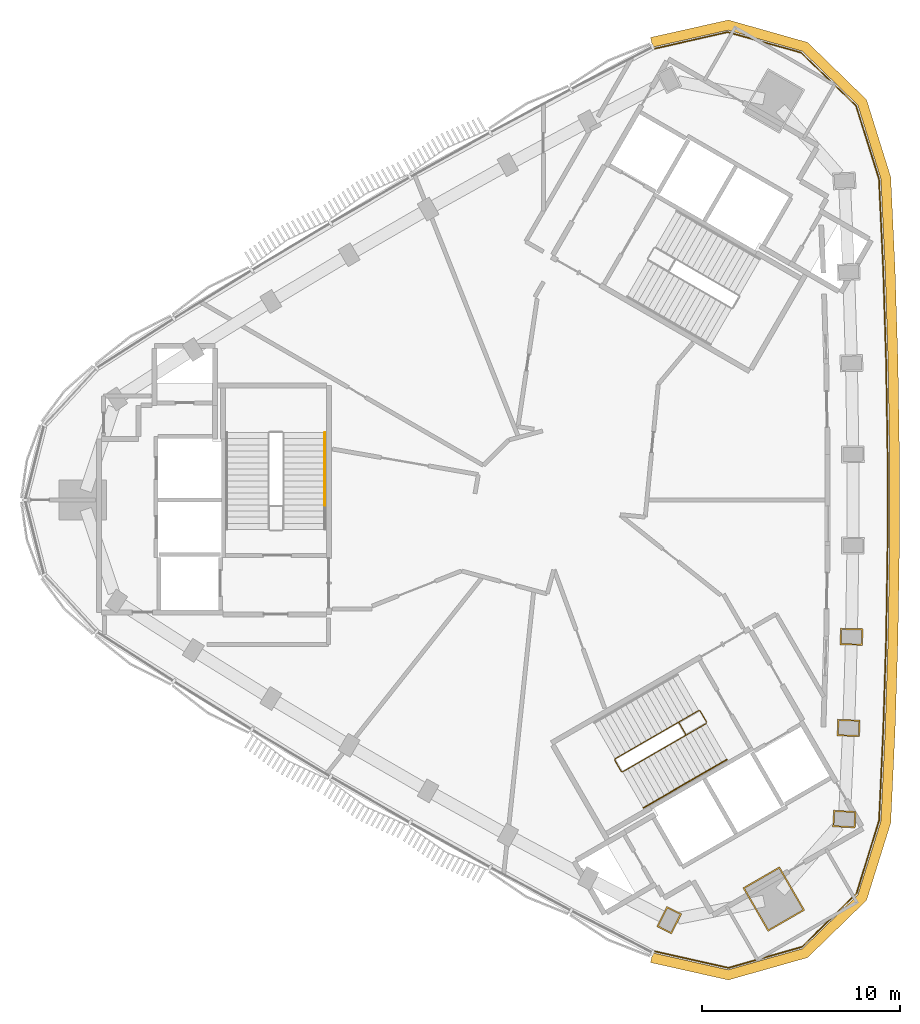
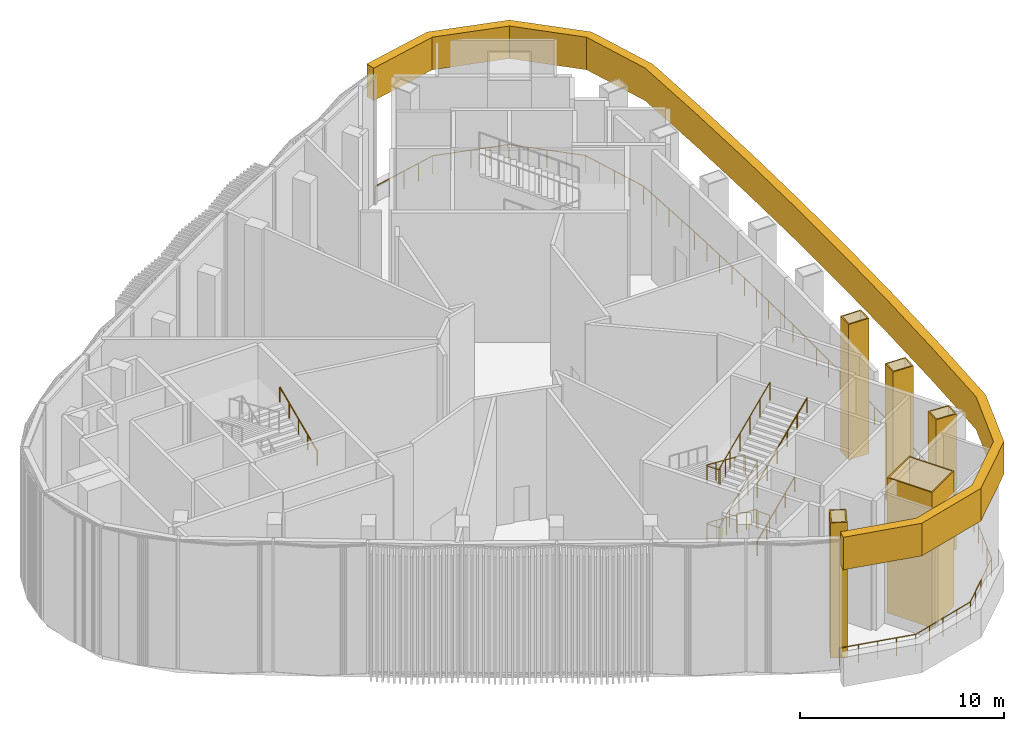
# One storey, part 9 of 11: 6 coverings, 5 railings.
"""IFC4 building model written with IfcOpenShell, lengths in metres."""

import ifcopenshell
import ifcopenshell.guid

model = None  # the IFC model being written
_history = None  # IfcOwnerHistory: only IFC2X3 demands one
_inside = {}  # id of a spatial element -> (the spatial element, [elements in it])
_under = {}  # id of a project, library or spatial element -> (it, [spatial elements below it])
_declared = {}  # id of a project -> (the project, [libraries it declares])
_typed = {}  # id of a type object -> (the type object, [elements of that type])
_made_of = {}  # id of a material, layer set ... -> (it, [elements and type objects made of it])


def new_model(schema):
    """Start an empty IFC model of exactly this schema.

    Asked for "IFC4X3", IfcOpenShell would pick the latest addendum, in which some entities
    have other attributes; the version numbers below select the first issue.
    IFC2X3 requires an IfcOwnerHistory on every rooted entity: one is made here for all.
    """
    global model, _history
    if schema == "IFC4X3":
        model = ifcopenshell.file(schema_version=(4, 3, 0, 0))
    else:
        model = ifcopenshell.file(schema=schema)
    _inside.clear()
    _under.clear()
    _declared.clear()
    _typed.clear()
    _made_of.clear()
    _history = None
    if model.schema == "IFC2X3":
        org = make("IfcOrganization", Name="unknown")
        user = make(
            "IfcPersonAndOrganization",
            ThePerson=make("IfcPerson", FamilyName="unknown"),
            TheOrganization=org,
        )
        app = make(
            "IfcApplication",
            ApplicationDeveloper=org,
            Version="unknown",
            ApplicationFullName="unknown",
            ApplicationIdentifier="unknown",
        )
        _history = make(
            "IfcOwnerHistory",
            OwningUser=user,
            OwningApplication=app,
            ChangeAction="ADDED",
            CreationDate=0,
        )
    return model


def make(cls, **values):
    """One entity of the class cls with the attributes given. An attribute that is None is left unset."""
    return model.create_entity(
        cls, **{name: value for name, value in values.items() if value is not None}
    )


def rooted(cls, **values):
    """An entity with a GlobalId (a new one), such as an element, a storey or a relation."""
    return make(cls, GlobalId=ifcopenshell.guid.new(), OwnerHistory=_history, **values)


def si_unit(unit_type, name, prefix=None):
    """IfcSIUnit, for example si_unit("LENGTHUNIT", "METRE", prefix="MILLI")."""
    return make("IfcSIUnit", UnitType=unit_type, Prefix=prefix, Name=name)


def assignment(units):
    """IfcUnitAssignment: the units of a project."""
    return None if units is None else make("IfcUnitAssignment", Units=units)


def point(xyz):
    """IfcCartesianPoint."""
    return None if xyz is None else make("IfcCartesianPoint", Coordinates=xyz)


def direction(xyz):
    """IfcDirection."""
    return None if xyz is None else make("IfcDirection", DirectionRatios=xyz)


def frame(location, z_axis=None, x_axis=None):
    """IfcAxis2Placement3D, a coordinate frame: its origin and axes. An axis left out is left unset."""
    return make(
        "IfcAxis2Placement3D",
        Location=point(location),
        Axis=direction(z_axis),
        RefDirection=direction(x_axis),
    )


def frame_2d(location, x_axis=None):
    """IfcAxis2Placement2D, a coordinate frame in the plane: its origin and x axis."""
    return make(
        "IfcAxis2Placement2D", Location=point(location), RefDirection=direction(x_axis)
    )


def origin():
    """The frame at (0, 0, 0) with its axes left unset."""
    return frame((0.0, 0.0, 0.0))


def origin_2d():
    """The frame at (0, 0) in the plane with its x axis left unset."""
    return frame_2d((0.0, 0.0))


def place(relative_to, where):
    """IfcLocalPlacement: puts the frame where relative to a parent placement (None: the world)."""
    return make(
        "IfcLocalPlacement", PlacementRelTo=relative_to, RelativePlacement=where
    )


def context(
    kind, dimensions, precision=None, world=None, true_north=None, identifier=None
):
    """IfcGeometricRepresentationContext, for example the 3D "Model" context."""
    return make(
        "IfcGeometricRepresentationContext",
        ContextIdentifier=identifier,
        ContextType=kind,
        CoordinateSpaceDimension=dimensions,
        Precision=precision,
        WorldCoordinateSystem=world,
        TrueNorth=true_north,
    )


def subcontext(parent, identifier, kind, view, scale=None):
    """IfcGeometricRepresentationSubContext, for example "Body" below "Model"."""
    return make(
        "IfcGeometricRepresentationSubContext",
        ContextIdentifier=identifier,
        ContextType=kind,
        ParentContext=parent,
        TargetScale=scale,
        TargetView=view,
    )


def project(units=None, contexts=None):
    """IfcProject with its units and contexts."""
    return rooted(
        "IfcProject",
        Name="project",
        RepresentationContexts=contexts,
        UnitsInContext=assignment(units),
    )


def spatial(cls, under=None, at=None, **own):
    """A site, building, storey or space (cls), placed at a placement, below another one or the project."""
    s = rooted(cls, ObjectPlacement=at, **own)
    if under is not None:
        _under.setdefault(under.id(), (under, []))[1].append(s)
    return s


def polyline(points):
    """IfcPolyline through the points."""
    return make("IfcPolyline", Points=[point(p) for p in points])


def profile(cls, at=None, kind="AREA", **sizes):
    """A parametric profile (cls). Its sizes go by their IFC names, for example OverallWidth=200.0."""
    return make(cls, ProfileType=kind, Position=at, **sizes)


def rectangle(**sizes):
    """IfcRectangleProfileDef."""
    return profile("IfcRectangleProfileDef", **sizes)


def circle(**sizes):
    """IfcCircleProfileDef."""
    return profile("IfcCircleProfileDef", **sizes)


def outline(outer, holes=None, kind="AREA"):
    """IfcArbitraryClosedProfileDef: a profile drawn as a closed curve; with holes, ...WithVoids."""
    if holes is None:
        return make("IfcArbitraryClosedProfileDef", ProfileType=kind, OuterCurve=outer)
    return make(
        "IfcArbitraryProfileDefWithVoids",
        ProfileType=kind,
        OuterCurve=outer,
        InnerCurves=holes,
    )


def extrude(swept, where, along, depth):
    """IfcExtrudedAreaSolid: the profile swept, set in the frame where, extruded along a direction by depth."""
    return make(
        "IfcExtrudedAreaSolid",
        SweptArea=swept,
        Position=where,
        ExtrudedDirection=direction(along),
        Depth=depth,
    )


def shape(context_of_items, identifier, shape_type, items):
    """IfcShapeRepresentation: the items that make up one representation, for example the "Body"."""
    return make(
        "IfcShapeRepresentation",
        ContextOfItems=context_of_items,
        RepresentationIdentifier=identifier,
        RepresentationType=shape_type,
        Items=items,
    )


def source(mapping_origin, context_of_items, identifier, shape_type, items):
    """IfcRepresentationMap: a shape defined once, which mapped items show again and again."""
    return make(
        "IfcRepresentationMap",
        MappingOrigin=mapping_origin,
        MappedRepresentation=shape(context_of_items, identifier, shape_type, items),
    )


def transform(
    local_origin,
    x_axis=None,
    y_axis=None,
    z_axis=None,
    scale=None,
    scale2=None,
    scale3=None,
    uniform=True,
):
    """IfcCartesianTransformationOperator3D, or its non-uniform kind. x_axis, y_axis, z_axis: its Axis1, 2, 3."""
    if uniform:
        return make(
            "IfcCartesianTransformationOperator3D",
            Axis1=direction(x_axis),
            Axis2=direction(y_axis),
            LocalOrigin=point(local_origin),
            Scale=scale,
            Axis3=direction(z_axis),
        )
    return make(
        "IfcCartesianTransformationOperator3DnonUniform",
        Axis1=direction(x_axis),
        Axis2=direction(y_axis),
        LocalOrigin=point(local_origin),
        Scale=scale,
        Axis3=direction(z_axis),
        Scale2=scale2,
        Scale3=scale3,
    )


def mapped(mapping_source, mapping_target):
    """IfcMappedItem: shows the shape of a source again, moved by a transform."""
    return make(
        "IfcMappedItem", MappingSource=mapping_source, MappingTarget=mapping_target
    )


def material(Name=None, Category=None):
    """IfcMaterial."""
    return make("IfcMaterial", Name=Name, Category=Category)


def layer(
    of_material, thickness, ventilated=None, Name=None, Category=None, Priority=None
):
    """IfcMaterialLayer: one layer of a wall or slab, of a material (None: an air gap)."""
    return make(
        "IfcMaterialLayer",
        Material=of_material,
        LayerThickness=thickness,
        IsVentilated=ventilated,
        Name=Name,
        Category=Category,
        Priority=Priority,
    )


def layer_set(layers, Name=None):
    """IfcMaterialLayerSet."""
    return make("IfcMaterialLayerSet", MaterialLayers=layers, LayerSetName=Name)


def made_of(thing, what):
    """Note that an element or type object is made of a material, layer set ...; save() writes the relation."""
    if what is not None:
        _made_of.setdefault(what.id(), (what, []))[1].append(thing)
    return thing


def type_object(cls, material=None, **own):
    """A type object (cls), such as IfcWallType, which elements share."""
    return made_of(rooted(cls, **own), material)


def element(
    cls,
    number,
    at=None,
    inside=None,
    cuts=None,
    type_object=None,
    material=None,
    context=None,
    identifier="Body",
    shape_type=None,
    held_by="IfcProductDefinitionShape",
    body=None,
    shapes=None,
    **own,
):
    """One element of the class cls, such as IfcWall. Its Tag is "e" and its number.

    at: its placement. inside: the storey or other place that contains it. cuts: it is an
    opening in that element (IfcRelVoidsElement). A single representation is given by context,
    identifier, shape_type and body (its items); several are given by shapes. held_by: the class
    of the entity that holds the representations. save() writes the other relations.
    """
    e = rooted(cls, Tag="e%d" % number, ObjectPlacement=at, **own)
    if body is not None:
        shapes = [shape(context, identifier, shape_type, body)]
    if shapes is not None:
        e.Representation = make(held_by, Representations=shapes)
    if inside is not None:
        _inside.setdefault(inside.id(), (inside, []))[1].append(e)
    if cuts is not None:
        rooted(
            "IfcRelVoidsElement", RelatingBuildingElement=cuts, RelatedOpeningElement=e
        )
    if type_object is not None:
        _typed.setdefault(type_object.id(), (type_object, []))[1].append(e)
    return made_of(e, material)


def aggregate(whole, parts):
    """IfcRelAggregates: a whole, such as a stair, and the parts it consists of."""
    return rooted("IfcRelAggregates", RelatingObject=whole, RelatedObjects=parts)


def save(model, path):
    """Write the relations noted so far, then the file.

    IfcRelAggregates (storeys below a building ...), IfcRelContainedInSpatialStructure (elements
    in a storey), IfcRelDefinesByType, IfcRelAssociatesMaterial and IfcRelDeclares: one each for
    every whole, place, type object, material and project.
    """
    for whole, parts in _under.values():
        aggregate(whole, parts)
    for where, things in _inside.values():
        rooted(
            "IfcRelContainedInSpatialStructure",
            RelatedElements=things,
            RelatingStructure=where,
        )
    for kind, things in _typed.values():
        rooted("IfcRelDefinesByType", RelatedObjects=things, RelatingType=kind)
    for what, things in _made_of.values():
        rooted("IfcRelAssociatesMaterial", RelatedObjects=things, RelatingMaterial=what)
    for by, libraries in _declared.values():
        rooted("IfcRelDeclares", RelatingContext=by, RelatedDefinitions=libraries)
    model.write(path)


model = new_model("IFC4")

# Units and contexts
model_context = context("Model", 3, precision=1e-05, world=origin(), true_north=direction((0.0, 1.0)))
body_context = subcontext(model_context, "Body", "Model", "MODEL_VIEW")
ifc_project = project(units=[si_unit("LENGTHUNIT", "METRE"), si_unit("AREAUNIT", "SQUARE_METRE"), si_unit("VOLUMEUNIT", "CUBIC_METRE"), si_unit("PLANEANGLEUNIT", "RADIAN"), si_unit("MASSUNIT", "GRAM", prefix="KILO")], contexts=[model_context])

# Site, building, storey
site_placement = place(None, origin())
site = spatial("IfcSite", under=ifc_project, at=site_placement, CompositionType="ELEMENT")
building_placement = place(site_placement, origin())
building = spatial("IfcBuilding", under=site, at=building_placement, Name="Tamra Quay Hotel Tower", CompositionType="ELEMENT")
storey_placement = place(building_placement, frame((0.0, 0.0, 312.60009765625)))
storey = spatial("IfcBuildingStorey", under=building, at=storey_placement, Name="L78", CompositionType="ELEMENT", Elevation=312.60009765625)

# Railing
ifc_material_1 = material(Name="Stainless steel balustrade", Category="steel")
railing_type_1 = type_object("IfcRailingType", Name="EXTERIOR GUARD 1100", PredefinedType="GUARDRAIL", material=ifc_material_1)
railing_1_placement = place(storey_placement, frame((5.542724609375, -22.777099609375, 0.0)))
element("IfcRailing", 1, at=railing_1_placement, inside=storey, type_object=railing_type_1, Name="GR1", PredefinedType="GUARDRAIL", context=body_context, shape_type="SweptSolid", body=[
    extrude(circle(Radius=0.02392578125, at=origin_2d()), frame((0.0, 0.0, 1.076171875), z_axis=(0.975765869861, -0.218817200452, 0.0), x_axis=(0.218817200452, 0.975765869861, 0.0)), (0.0, 0.0, 1.0), 3.904052734375),
    extrude(circle(Radius=0.02392578125, at=origin_2d()), frame((3.809326171875, -0.854248046875, 1.076171875), z_axis=(0.961421151463, 0.275080660023, 0.0), x_axis=(-0.275080660023, 0.961421151463, 0.0)), (0.0, 0.0, 1.0), 3.856201171875),
    extrude(circle(Radius=0.02392578125, at=origin_2d()), frame((7.516845703125, 0.20654296875, 1.076171875), z_axis=(0.714569103728, 0.699564861894, 0.0), x_axis=(-0.699564861894, 0.714569103728, 0.0)), (0.0, 0.0, 1.0), 3.8564453125),
    extrude(circle(Radius=0.02392578125, at=origin_2d()), frame((10.2724609375, 2.904296875, 1.076171875), z_axis=(0.295411342423, 0.955370157985, 0.0), x_axis=(-0.955370157985, 0.295411342423, 0.0)), (0.0, 0.0, 1.0), 3.856201171875),
    extrude(circle(Radius=0.02392578125, at=origin_2d()), frame((11.41162109375, 6.58837890625, 1.076171875), z_axis=(0.046111268524, 0.998936309739, 0.0), x_axis=(-0.998936309739, 0.046111268524, 0.0)), (0.0, 0.0, 1.0), 4.611572265625),
    extrude(circle(Radius=0.02392578125, at=origin_2d()), frame((11.624267578125, 11.195068359375, 1.076171875), z_axis=(0.03124462194, 0.999511767614, 0.0), x_axis=(-0.999511767614, 0.03124462194, 0.0)), (0.0, 0.0, 1.0), 4.633544921875),
    extrude(circle(Radius=0.02392578125, at=origin_2d()), frame((11.76904296875, 15.826416015625, 1.076171875), z_axis=(0.01559264604, 0.999878427305, 0.0), x_axis=(-0.999878427305, 0.01559264604, 0.0)), (0.0, 0.0, 1.0), 4.634521484375),
    extrude(circle(Radius=0.02392578125, at=origin_2d()), frame((11.84130859375, 20.46044921875, 1.076171875), z_axis=(0.0, 1.0, 0.0), x_axis=(-1.0, 0.0, 0.0)), (0.0, 0.0, 1.0), 4.634765625),
    extrude(circle(Radius=0.02392578125, at=origin_2d()), frame((11.84130859375, 25.09521484375, 1.076171875), z_axis=(-0.015644487009, 0.999877617524, 0.0), x_axis=(-0.999877617524, -0.015644487009, 0.0)), (0.0, 0.0, 1.0), 4.634765625),
    extrude(circle(Radius=0.02392578125, at=origin_2d()), frame((11.768798828125, 29.7294921875, 1.076171875), z_axis=(-0.031246267473, 0.999511716174, 0.0), x_axis=(-0.999511716174, -0.031246267473, 0.0)), (0.0, 0.0, 1.0), 4.63330078125),
    extrude(circle(Radius=0.02392578125, at=origin_2d()), frame((11.6240234375, 34.360595703125, 1.076171875), z_axis=(-0.046821944029, 0.99890325135, 0.0), x_axis=(-0.99890325135, -0.046821944029, 0.0)), (0.0, 0.0, 1.0), 4.635498046875),
    extrude(circle(Radius=0.02392578125, at=origin_2d()), frame((11.406982421875, 38.990966796875, 1.076171875), z_axis=(-0.29918163722, 0.954196178964, 0.0), x_axis=(-0.954196178964, -0.29918163722, 0.0)), (0.0, 0.0, 1.0), 3.878662109375),
    extrude(circle(Radius=0.02392578125, at=origin_2d()), frame((10.24658203125, 42.69189453125, 1.076171875), z_axis=(-0.718939865084, 0.6950722771, 0.0), x_axis=(-0.6950722771, -0.718939865084, 0.0)), (0.0, 0.0, 1.0), 3.856201171875),
    extrude(circle(Radius=0.02392578125, at=origin_2d()), frame((7.47412109375, 45.372314453125, 1.076171875), z_axis=(-0.963134136918, 0.269021624229, 0.0), x_axis=(-0.269021624229, -0.963134136918, 0.0)), (0.0, 0.0, 1.0), 3.85595703125),
    extrude(circle(Radius=0.02392578125, at=origin_2d()), frame((3.76025390625, 46.40966796875, 1.076171875), z_axis=(-0.9750843246, -0.221834532749, 0.0), x_axis=(0.221834532749, -0.9750843246, 0.0)), (0.0, 0.0, 1.0), 3.8564453125),
    extrude(circle(Radius=0.02099609375, at=origin_2d()), origin(), (0.0, 0.0, 1.0), 1.052001953125),
    extrude(circle(Radius=0.02099609375, at=origin_2d()), frame((0.952392578125, -0.213623046875, 0.0)), (0.0, 0.0, 1.0), 1.052001953125),
    extrude(circle(Radius=0.02099609375, at=origin_2d()), frame((1.90478515625, -0.42724609375, 0.0)), (0.0, 0.0, 1.0), 1.052001953125),
    extrude(circle(Radius=0.02099609375, at=origin_2d()), frame((2.85693359375, -0.640625, 0.0)), (0.0, 0.0, 1.0), 1.052001953125),
    extrude(circle(Radius=0.02099609375, at=origin_2d()), frame((3.809326171875, -0.854248046875, 0.0)), (0.0, 0.0, 1.0), 1.052001953125),
    extrude(circle(Radius=0.02099609375, at=origin_2d()), frame((4.736328125, -0.589111328125, 0.0)), (0.0, 0.0, 1.0), 1.052001953125),
    extrude(circle(Radius=0.02099609375, at=origin_2d()), frame((5.6630859375, -0.32373046875, 0.0)), (0.0, 0.0, 1.0), 1.052001953125),
    extrude(circle(Radius=0.02099609375, at=origin_2d()), frame((6.58984375, -0.05859375, 0.0)), (0.0, 0.0, 1.0), 1.052001953125),
    extrude(circle(Radius=0.02099609375, at=origin_2d()), frame((7.516845703125, 0.20654296875, 0.0)), (0.0, 0.0, 1.0), 1.052001953125),
    extrude(circle(Radius=0.02099609375, at=origin_2d()), frame((8.205810546875, 0.880859375, 0.0)), (0.0, 0.0, 1.0), 1.052001953125),
    extrude(circle(Radius=0.02099609375, at=origin_2d()), frame((8.89453125, 1.555419921875, 0.0)), (0.0, 0.0, 1.0), 1.052001953125),
    extrude(circle(Radius=0.02099609375, at=origin_2d()), frame((9.58349609375, 2.22998046875, 0.0)), (0.0, 0.0, 1.0), 1.052001953125),
    extrude(circle(Radius=0.02099609375, at=origin_2d()), frame((10.2724609375, 2.904296875, 0.0)), (0.0, 0.0, 1.0), 1.052001953125),
    extrude(circle(Radius=0.02099609375, at=origin_2d()), frame((10.55712890625, 3.8251953125, 0.0)), (0.0, 0.0, 1.0), 1.052001953125),
    extrude(circle(Radius=0.02099609375, at=origin_2d()), frame((10.842041015625, 4.746337890625, 0.0)), (0.0, 0.0, 1.0), 1.052001953125),
    extrude(circle(Radius=0.02099609375, at=origin_2d()), frame((11.126953125, 5.66748046875, 0.0)), (0.0, 0.0, 1.0), 1.052001953125),
    extrude(circle(Radius=0.02099609375, at=origin_2d()), frame((11.41162109375, 6.58837890625, 0.0)), (0.0, 0.0, 1.0), 1.052001953125),
    extrude(circle(Radius=0.02099609375, at=origin_2d()), frame((11.46484375, 7.739990234375, 0.0)), (0.0, 0.0, 1.0), 1.052001953125),
    extrude(circle(Radius=0.02099609375, at=origin_2d()), frame((11.51806640625, 8.8916015625, 0.0)), (0.0, 0.0, 1.0), 1.052001953125),
    extrude(circle(Radius=0.02099609375, at=origin_2d()), frame((11.571044921875, 10.04345703125, 0.0)), (0.0, 0.0, 1.0), 1.052001953125),
    extrude(circle(Radius=0.02099609375, at=origin_2d()), frame((11.624267578125, 11.195068359375, 0.0)), (0.0, 0.0, 1.0), 1.052001953125),
    extrude(circle(Radius=0.02099609375, at=origin_2d()), frame((11.660400390625, 12.35302734375, 0.0)), (0.0, 0.0, 1.0), 1.052001953125),
    extrude(circle(Radius=0.02099609375, at=origin_2d()), frame((11.69677734375, 13.5107421875, 0.0)), (0.0, 0.0, 1.0), 1.052001953125),
    extrude(circle(Radius=0.02099609375, at=origin_2d()), frame((11.73291015625, 14.66845703125, 0.0)), (0.0, 0.0, 1.0), 1.052001953125),
    extrude(circle(Radius=0.02099609375, at=origin_2d()), frame((11.76904296875, 15.826416015625, 0.0)), (0.0, 0.0, 1.0), 1.052001953125),
    extrude(circle(Radius=0.02099609375, at=origin_2d()), frame((11.787109375, 16.98486328125, 0.0)), (0.0, 0.0, 1.0), 1.052001953125),
    extrude(circle(Radius=0.02099609375, at=origin_2d()), frame((11.80517578125, 18.1435546875, 0.0)), (0.0, 0.0, 1.0), 1.052001953125),
    extrude(circle(Radius=0.02099609375, at=origin_2d()), frame((11.8232421875, 19.302001953125, 0.0)), (0.0, 0.0, 1.0), 1.052001953125),
    extrude(circle(Radius=0.02099609375, at=origin_2d()), frame((11.84130859375, 20.46044921875, 0.0)), (0.0, 0.0, 1.0), 1.052001953125),
    extrude(circle(Radius=0.02099609375, at=origin_2d()), frame((11.84130859375, 21.619140625, 0.0)), (0.0, 0.0, 1.0), 1.052001953125),
    extrude(circle(Radius=0.02099609375, at=origin_2d()), frame((11.84130859375, 22.77783203125, 0.0)), (0.0, 0.0, 1.0), 1.052001953125),
    extrude(circle(Radius=0.02099609375, at=origin_2d()), frame((11.84130859375, 23.9365234375, 0.0)), (0.0, 0.0, 1.0), 1.052001953125),
    extrude(circle(Radius=0.02099609375, at=origin_2d()), frame((11.84130859375, 25.09521484375, 0.0)), (0.0, 0.0, 1.0), 1.052001953125),
    extrude(circle(Radius=0.02099609375, at=origin_2d()), frame((11.8232421875, 26.25390625, 0.0)), (0.0, 0.0, 1.0), 1.052001953125),
    extrude(circle(Radius=0.02099609375, at=origin_2d()), frame((11.80517578125, 27.412353515625, 0.0)), (0.0, 0.0, 1.0), 1.052001953125),
    extrude(circle(Radius=0.02099609375, at=origin_2d()), frame((11.786865234375, 28.57080078125, 0.0)), (0.0, 0.0, 1.0), 1.052001953125),
    extrude(circle(Radius=0.02099609375, at=origin_2d()), frame((11.768798828125, 29.7294921875, 0.0)), (0.0, 0.0, 1.0), 1.052001953125),
    extrude(circle(Radius=0.02099609375, at=origin_2d()), frame((11.732666015625, 30.88720703125, 0.0)), (0.0, 0.0, 1.0), 1.052001953125),
    extrude(circle(Radius=0.02099609375, at=origin_2d()), frame((11.6962890625, 32.044921875, 0.0)), (0.0, 0.0, 1.0), 1.052001953125),
    extrude(circle(Radius=0.02099609375, at=origin_2d()), frame((11.66015625, 33.202880859375, 0.0)), (0.0, 0.0, 1.0), 1.052001953125),
    extrude(circle(Radius=0.02099609375, at=origin_2d()), frame((11.6240234375, 34.360595703125, 0.0)), (0.0, 0.0, 1.0), 1.052001953125),
    extrude(circle(Radius=0.02099609375, at=origin_2d()), frame((11.56982421875, 35.51806640625, 0.0)), (0.0, 0.0, 1.0), 1.052001953125),
    extrude(circle(Radius=0.02099609375, at=origin_2d()), frame((11.515625, 36.67578125, 0.0)), (0.0, 0.0, 1.0), 1.052001953125),
    extrude(circle(Radius=0.02099609375, at=origin_2d()), frame((11.461181640625, 37.83349609375, 0.0)), (0.0, 0.0, 1.0), 1.052001953125),
    extrude(circle(Radius=0.02099609375, at=origin_2d()), frame((11.406982421875, 38.990966796875, 0.0)), (0.0, 0.0, 1.0), 1.052001953125),
    extrude(circle(Radius=0.02099609375, at=origin_2d()), frame((11.116943359375, 39.916259765625, 0.0)), (0.0, 0.0, 1.0), 1.052001953125),
    extrude(circle(Radius=0.02099609375, at=origin_2d()), frame((10.82666015625, 40.84130859375, 0.0)), (0.0, 0.0, 1.0), 1.052001953125),
    extrude(circle(Radius=0.02099609375, at=origin_2d()), frame((10.53662109375, 41.7666015625, 0.0)), (0.0, 0.0, 1.0), 1.052001953125),
    extrude(circle(Radius=0.02099609375, at=origin_2d()), frame((10.24658203125, 42.69189453125, 0.0)), (0.0, 0.0, 1.0), 1.052001953125),
    extrude(circle(Radius=0.02099609375, at=origin_2d()), frame((9.553466796875, 43.362060546875, 0.0)), (0.0, 0.0, 1.0), 1.052001953125),
    extrude(circle(Radius=0.02099609375, at=origin_2d()), frame((8.8603515625, 44.0322265625, 0.0)), (0.0, 0.0, 1.0), 1.052001953125),
    extrude(circle(Radius=0.02099609375, at=origin_2d()), frame((8.167236328125, 44.7021484375, 0.0)), (0.0, 0.0, 1.0), 1.052001953125),
    extrude(circle(Radius=0.02099609375, at=origin_2d()), frame((7.47412109375, 45.372314453125, 0.0)), (0.0, 0.0, 1.0), 1.052001953125),
    extrude(circle(Radius=0.02099609375, at=origin_2d()), frame((6.545654296875, 45.631591796875, 0.0)), (0.0, 0.0, 1.0), 1.052001953125),
    extrude(circle(Radius=0.02099609375, at=origin_2d()), frame((5.6171875, 45.89111328125, 0.0)), (0.0, 0.0, 1.0), 1.052001953125),
    extrude(circle(Radius=0.02099609375, at=origin_2d()), frame((4.688720703125, 46.150390625, 0.0)), (0.0, 0.0, 1.0), 1.052001953125),
    extrude(circle(Radius=0.02099609375, at=origin_2d()), frame((3.76025390625, 46.40966796875, 0.0)), (0.0, 0.0, 1.0), 1.052001953125),
    extrude(circle(Radius=0.02099609375, at=origin_2d()), frame((2.8203125, 46.19580078125, 0.0)), (0.0, 0.0, 1.0), 1.052001953125),
    extrude(circle(Radius=0.02099609375, at=origin_2d()), frame((1.880126953125, 45.98193359375, 0.0)), (0.0, 0.0, 1.0), 1.052001953125),
    extrude(circle(Radius=0.02099609375, at=origin_2d()), frame((0.93994140625, 45.76806640625, 0.0)), (0.0, 0.0, 1.0), 1.052001953125),
    extrude(circle(Radius=0.02099609375, at=origin_2d()), frame((0.0, 45.55419921875, 0.0)), (0.0, 0.0, 1.0), 1.052001953125),
])

# Covering
ifc_material_2 = material(Name="Precast concrete M60 terracotta-coloured pierced relief", Category="masonry")
ifc_layer_1 = layer(ifc_material_2, 0.10009765625)
ifc_layer_set_1 = layer_set([ifc_layer_1], Name="PIERCED RELIEF PANEL 100")
covering_type_1 = type_object("IfcCoveringType", Name="PIERCED RELIEF PANEL 100", PredefinedType="CLADDING", material=ifc_layer_set_1)
covering_1_placement = place(storey_placement, frame((0.0, 0.0, 6.14990234375)))
element("IfcCovering", 2, at=covering_1_placement, inside=storey, type_object=covering_type_1, Name="L78 portal head fascia 1", PredefinedType="CLADDING", context=body_context, shape_type="SweptSolid", body=[
    extrude(outline(polyline([(5.520751953125, -22.874755859375), (5.411376953125, -23.362548828125), (9.34423828125, -24.244384765625), (13.344482421875, -23.113525390625), (16.32421875, -20.214599609375), (17.546142578125, -16.30615234375), (17.766357421875, -11.606201171875), (17.91162109375, -6.965576171875), (17.984130859375, -2.322021484375), (17.984130859375, 2.322021484375), (17.91162109375, 6.965576171875), (17.766357421875, 11.606201171875), (17.546142578125, 16.30615234375), (16.32421875, 20.214599609375), (13.344482421875, 23.113525390625), (9.34423828125, 24.244384765625), (5.411376953125, 23.362548828125), (5.520751953125, 22.874755859375), (9.330078125, 23.72900390625), (13.086669921875, 22.666748046875), (15.884765625, 19.944580078125), (17.0498046875, 16.218505859375), (17.266845703125, 11.586669921875), (17.41162109375, 6.953857421875), (17.484130859375, 2.318115234375), (17.484130859375, -2.318115234375), (17.41162109375, -6.953857421875), (17.266845703125, -11.586669921875), (17.0498046875, -16.218505859375), (15.884765625, -19.944580078125), (13.086669921875, -22.666748046875), (9.330078125, -23.72900390625), (5.520751953125, -22.874755859375)])), origin(), (0.0, 0.0, 1.0), 1.949951171875),
])

# Railings
ifc_material_3 = material(Name="Stair guard 1100")
railing_type_2 = type_object("IfcRailingType", Name="Stair guard 1100", PredefinedType="GUARDRAIL", material=ifc_material_3)
railing_2_placement = place(storey_placement, frame((8.245849609375, -11.221923828125, 0.0)))
element("IfcRailing", 3, at=railing_2_placement, inside=storey, type_object=railing_type_2, Name="GR", PredefinedType="GUARDRAIL", context=body_context, shape_type="SweptSolid", body=[
    extrude(circle(Radius=0.02392578125, at=origin_2d()), frame((0.0, 0.0, 1.076171875), z_axis=(-0.500043078269, 0.866000531106, 0.0), x_axis=(-0.866000531106, -0.500043078269, 0.0)), (0.0, 0.0, 1.0), 0.6591796875),
    extrude(circle(Radius=0.02392578125, at=origin_2d()), frame((-0.32958984375, 0.57080078125, 1.076171875), z_axis=(-0.4529457755, 0.121324761295, 0.883244262225), x_axis=(-0.258736085224, -0.965948051503, 0.0)), (0.0, 0.0, 1.0), 0.15087890625),
    extrude(circle(Radius=0.02392578125, at=origin_2d()), frame((-0.39794921875, 0.589111328125, 1.20947265625), z_axis=(-0.793511931334, -0.458137391205, 0.400560788908), x_axis=(0.500002508028, -0.866023955769, 0.0)), (0.0, 0.0, 1.0), 5.32568359375),
    extrude(circle(Radius=0.02392578125, at=origin_2d()), frame((-4.6240234375, -1.850830078125, 3.3427734375), z_axis=(-0.258736085224, -0.965948051503, 0.0), x_axis=(0.965948051503, -0.258736085224, 0.0)), (0.0, 0.0, 1.0), 0.07080078125),
    extrude(circle(Radius=0.02392578125, at=origin_2d()), frame((-4.642333984375, -1.919189453125, 3.3427734375), z_axis=(0.499765215335, -0.866160914346, 0.0), x_axis=(0.866160914346, 0.499765215335, 0.0)), (0.0, 0.0, 1.0), 0.658935546875),
    extrude(circle(Radius=0.02392578125, at=origin_2d()), frame((-4.31298828125, -2.489990234375, 3.3427734375), z_axis=(0.4529457755, -0.121324761295, 0.883244262225), x_axis=(0.258736085224, 0.965948051503, 0.0)), (0.0, 0.0, 1.0), 0.15087890625),
    extrude(circle(Radius=0.02392578125, at=origin_2d()), frame((-4.24462890625, -2.50830078125, 3.47607421875), z_axis=(0.793502425816, 0.458144818911, 0.400571123685), x_axis=(-0.500013080017, 0.866017851902, 0.0)), (0.0, 0.0, 1.0), 3.99462890625),
    extrude(circle(Radius=0.02392578125, at=origin_2d()), frame((-1.074951171875, -0.67822265625, 5.076171875), z_axis=(0.258736085224, 0.965948051503, 0.0), x_axis=(-0.965948051503, 0.258736085224, 0.0)), (0.0, 0.0, 1.0), 0.07080078125),
    extrude(circle(Radius=0.02392578125, at=origin_2d()), frame((-1.056640625, -0.60986328125, 5.076171875), z_axis=(-0.500203519255, 0.865907869998, 0.0), x_axis=(-0.865907869998, -0.500203519255, 0.0)), (0.0, 0.0, 1.0), 0.658935546875),
    extrude(circle(Radius=0.02392578125, at=origin_2d()), frame((-1.38623046875, -0.039306640625, 5.076171875), z_axis=(-0.451658578447, 0.121413596357, 0.883890981476), x_axis=(-0.259601060869, -0.965715946433, 0.0)), (0.0, 0.0, 1.0), 0.15087890625),
    extrude(circle(Radius=0.02392578125, at=origin_2d()), frame((-1.454345703125, -0.02099609375, 5.20947265625), z_axis=(-0.793544071909, -0.458107742352, 0.400531025435), x_axis=(0.499963050397, -0.866046735597, 0.0)), (0.0, 0.0, 1.0), 3.994384765625),
    extrude(circle(Radius=0.02392578125, at=origin_2d()), frame((-4.6240234375, -1.850830078125, 6.80908203125), z_axis=(-0.258736085224, -0.965948051503, 0.0), x_axis=(0.965948051503, -0.258736085224, 0.0)), (0.0, 0.0, 1.0), 0.07080078125),
    extrude(circle(Radius=0.02392578125, at=origin_2d()), frame((-4.642333984375, -1.919189453125, 6.80908203125), z_axis=(0.499765215335, -0.866160914346, 0.0), x_axis=(0.866160914346, 0.499765215335, 0.0)), (0.0, 0.0, 1.0), 0.658935546875),
    extrude(circle(Radius=0.02392578125, at=origin_2d()), frame((-4.31298828125, -2.489990234375, 6.80908203125), z_axis=(0.4529457755, -0.121324761295, 0.883244262225), x_axis=(0.258736085224, 0.965948051503, 0.0)), (0.0, 0.0, 1.0), 0.15087890625),
    extrude(circle(Radius=0.02392578125, at=origin_2d()), frame((-4.24462890625, -2.50830078125, 6.9423828125), z_axis=(0.793497673342, 0.458148532439, 0.400576290644), x_axis=(-0.500018365622, 0.866014800128, 0.0)), (0.0, 0.0, 1.0), 5.326171875),
    extrude(circle(Radius=0.02099609375, at=origin_2d()), origin(), (0.0, 0.0, 1.0), 1.052001953125),
    extrude(circle(Radius=0.02099609375, at=origin_2d()), frame((-0.32958984375, 0.57080078125, 0.0)), (0.0, 0.0, 1.0), 1.052001953125),
    extrude(circle(Radius=0.02099609375, at=origin_2d()), frame((-0.39794921875, 0.589111328125, 0.13330078125)), (0.0, 0.0, 1.0), 1.052001953125),
    extrude(circle(Radius=0.02099609375, at=origin_2d()), frame((-1.2431640625, 0.10107421875, 0.56005859375)), (0.0, 0.0, 1.0), 1.052001953125),
    extrude(circle(Radius=0.02099609375, at=origin_2d()), frame((-2.08837890625, -0.386962890625, 0.986572265625)), (0.0, 0.0, 1.0), 1.052001953125),
    extrude(circle(Radius=0.02099609375, at=origin_2d()), frame((-2.93359375, -0.874755859375, 1.413330078125)), (0.0, 0.0, 1.0), 1.052001953125),
    extrude(circle(Radius=0.02099609375, at=origin_2d()), frame((-3.77880859375, -1.36279296875, 1.83984375)), (0.0, 0.0, 1.0), 1.052001953125),
    extrude(circle(Radius=0.02099609375, at=origin_2d()), frame((-4.6240234375, -1.850830078125, 2.2666015625)), (0.0, 0.0, 1.0), 1.052001953125),
    extrude(circle(Radius=0.02099609375, at=origin_2d()), frame((-4.642333984375, -1.919189453125, 2.2666015625)), (0.0, 0.0, 1.0), 1.052001953125),
    extrude(circle(Radius=0.02099609375, at=origin_2d()), frame((-4.31298828125, -2.489990234375, 2.2666015625)), (0.0, 0.0, 1.0), 1.052001953125),
    extrude(circle(Radius=0.02099609375, at=origin_2d()), frame((-4.24462890625, -2.50830078125, 2.39990234375)), (0.0, 0.0, 1.0), 1.052001953125),
    extrude(circle(Radius=0.02099609375, at=origin_2d()), frame((-3.4521484375, -2.05078125, 2.7998046875)), (0.0, 0.0, 1.0), 1.052001953125),
    extrude(circle(Radius=0.02099609375, at=origin_2d()), frame((-2.65966796875, -1.59326171875, 3.199951171875)), (0.0, 0.0, 1.0), 1.052001953125),
    extrude(circle(Radius=0.02099609375, at=origin_2d()), frame((-1.867431640625, -1.1357421875, 3.60009765625)), (0.0, 0.0, 1.0), 1.052001953125),
    extrude(circle(Radius=0.02099609375, at=origin_2d()), frame((-1.074951171875, -0.67822265625, 4.0)), (0.0, 0.0, 1.0), 1.052001953125),
    extrude(circle(Radius=0.02099609375, at=origin_2d()), frame((-1.056640625, -0.60986328125, 4.0)), (0.0, 0.0, 1.0), 1.052001953125),
    extrude(circle(Radius=0.02099609375, at=origin_2d()), frame((-1.38623046875, -0.039306640625, 4.0)), (0.0, 0.0, 1.0), 1.052001953125),
    extrude(circle(Radius=0.02099609375, at=origin_2d()), frame((-1.454345703125, -0.02099609375, 4.13330078125)), (0.0, 0.0, 1.0), 1.052001953125),
    extrude(circle(Radius=0.02099609375, at=origin_2d()), frame((-2.246826171875, -0.478515625, 4.533203125)), (0.0, 0.0, 1.0), 1.052001953125),
    extrude(circle(Radius=0.02099609375, at=origin_2d()), frame((-3.0390625, -0.93603515625, 4.93310546875)), (0.0, 0.0, 1.0), 1.052001953125),
    extrude(circle(Radius=0.02099609375, at=origin_2d()), frame((-3.83154296875, -1.393310546875, 5.333251953125)), (0.0, 0.0, 1.0), 1.052001953125),
    extrude(circle(Radius=0.02099609375, at=origin_2d()), frame((-4.6240234375, -1.850830078125, 5.733154296875)), (0.0, 0.0, 1.0), 1.052001953125),
    extrude(circle(Radius=0.02099609375, at=origin_2d()), frame((-4.642333984375, -1.919189453125, 5.733154296875)), (0.0, 0.0, 1.0), 1.052001953125),
    extrude(circle(Radius=0.02099609375, at=origin_2d()), frame((-4.31298828125, -2.489990234375, 5.733154296875)), (0.0, 0.0, 1.0), 1.052001953125),
    extrude(circle(Radius=0.02099609375, at=origin_2d()), frame((-4.24462890625, -2.50830078125, 5.866455078125)), (0.0, 0.0, 1.0), 1.052001953125),
    extrude(circle(Radius=0.02099609375, at=origin_2d()), frame((-3.3994140625, -2.020263671875, 6.293212890625)), (0.0, 0.0, 1.0), 1.052001953125),
    extrude(circle(Radius=0.02099609375, at=origin_2d()), frame((-2.55419921875, -1.5322265625, 6.719970703125)), (0.0, 0.0, 1.0), 1.052001953125),
    extrude(circle(Radius=0.02099609375, at=origin_2d()), frame((-1.708740234375, -1.044189453125, 7.146484375)), (0.0, 0.0, 1.0), 1.052001953125),
    extrude(circle(Radius=0.02099609375, at=origin_2d()), frame((-0.863525390625, -0.55615234375, 7.5732421875)), (0.0, 0.0, 1.0), 1.052001953125),
    extrude(circle(Radius=0.02099609375, at=origin_2d()), frame((-0.018310546875, -0.068115234375, 8.0)), (0.0, 0.0, 1.0), 1.052001953125),
])
ifc_material_4 = material(Name="Stair handrail 900")
railing_type_3 = type_object("IfcRailingType", Name="Stair handrail 900", PredefinedType="HANDRAIL", material=ifc_material_4)
railing_3_placement = place(storey_placement, frame((-11.0322265625, -0.260009765625, 4.13330078125)))
element("IfcRailing", 4, at=railing_3_placement, inside=storey, type_object=railing_type_3, Name="HR", PredefinedType="HANDRAIL", context=body_context, shape_type="SweptSolid", body=[
    extrude(circle(Radius=0.02392578125, at=origin_2d()), frame((0.0, 0.0, 0.8759765625), z_axis=(0.0, 0.916282139963, 0.400533444278), x_axis=(-1.0, 0.0, 0.0)), (0.0, 0.0, 1.0), 3.994384765625),
    extrude(circle(Radius=0.02099609375, at=origin_2d()), origin(), (0.0, 0.0, 1.0), 0.851806640625),
    extrude(circle(Radius=0.02099609375, at=origin_2d()), frame((0.0, 0.9150390625, 0.39990234375)), (0.0, 0.0, 1.0), 0.851806640625),
    extrude(circle(Radius=0.02099609375, at=origin_2d()), frame((0.0, 1.830078125, 0.7998046875)), (0.0, 0.0, 1.0), 0.851806640625),
    extrude(circle(Radius=0.02099609375, at=origin_2d()), frame((0.0, 2.744873046875, 1.199951171875)), (0.0, 0.0, 1.0), 0.851806640625),
    extrude(circle(Radius=0.02099609375, at=origin_2d()), frame((0.0, 3.659912109375, 1.599853515625)), (0.0, 0.0, 1.0), 0.851806640625),
])
railing_4_placement = place(storey_placement, frame((5.05126953125, -15.548828125, 2.39990234375)))
element("IfcRailing", 5, at=railing_4_placement, inside=storey, type_object=railing_type_3, Name="HR", PredefinedType="HANDRAIL", context=body_context, shape_type="SweptSolid", body=[
    extrude(circle(Radius=0.02392578125, at=origin_2d()), frame((0.0, 0.0, 0.8759765625), z_axis=(0.793502425816, 0.458144818911, 0.400571123685), x_axis=(-0.500013080017, 0.866017851902, 0.0)), (0.0, 0.0, 1.0), 3.99462890625),
    extrude(circle(Radius=0.02099609375, at=origin_2d()), origin(), (0.0, 0.0, 1.0), 0.851806640625),
    extrude(circle(Radius=0.02099609375, at=origin_2d()), frame((0.79248046875, 0.45751953125, 0.39990234375)), (0.0, 0.0, 1.0), 0.851806640625),
    extrude(circle(Radius=0.02099609375, at=origin_2d()), frame((1.5849609375, 0.9150390625, 0.800048828125)), (0.0, 0.0, 1.0), 0.851806640625),
    extrude(circle(Radius=0.02099609375, at=origin_2d()), frame((2.377197265625, 1.37255859375, 1.2001953125)), (0.0, 0.0, 1.0), 0.851806640625),
    extrude(circle(Radius=0.02099609375, at=origin_2d()), frame((3.169677734375, 1.830078125, 1.60009765625)), (0.0, 0.0, 1.0), 0.851806640625),
])
railing_5_placement = place(storey_placement, frame((5.05126953125, -15.548828125, 5.866455078125)))
element("IfcRailing", 6, at=railing_5_placement, inside=storey, type_object=railing_type_3, Name="HR", PredefinedType="HANDRAIL", context=body_context, shape_type="SweptSolid", body=[
    extrude(circle(Radius=0.02392578125, at=origin_2d()), frame((0.0, 0.0, 0.8759765625), z_axis=(0.793497360273, 0.458128978542, 0.400599273913), x_axis=(-0.500002508028, 0.866023955769, 0.0)), (0.0, 0.0, 1.0), 5.325927734375),
    extrude(circle(Radius=0.02099609375, at=origin_2d()), origin(), (0.0, 0.0, 1.0), 0.851806640625),
    extrude(circle(Radius=0.02099609375, at=origin_2d()), frame((0.84521484375, 0.488037109375, 0.4267578125)), (0.0, 0.0, 1.0), 0.851806640625),
    extrude(circle(Radius=0.02099609375, at=origin_2d()), frame((1.6904296875, 0.97607421875, 0.853515625)), (0.0, 0.0, 1.0), 0.851806640625),
    extrude(circle(Radius=0.02099609375, at=origin_2d()), frame((2.53564453125, 1.4638671875, 1.280029296875)), (0.0, 0.0, 1.0), 0.851806640625),
    extrude(circle(Radius=0.02099609375, at=origin_2d()), frame((3.380859375, 1.951904296875, 1.706787109375)), (0.0, 0.0, 1.0), 0.851806640625),
    extrude(circle(Radius=0.02099609375, at=origin_2d()), frame((4.22607421875, 2.43994140625, 2.133544921875)), (0.0, 0.0, 1.0), 0.851806640625),
])

# Coverings
ifc_layer_2 = layer(ifc_material_2, 0.070068359375)
ifc_layer_set_2 = layer_set([ifc_layer_2], Name="COLUMN RELIEF SLEEVE 70")
covering_type_2 = type_object("IfcCoveringType", Name="COLUMN RELIEF SLEEVE 70", PredefinedType="CLADDING", material=ifc_layer_set_2)
shared_shape_1 = source(origin(), body_context, "Body", "SweptSolid", [
    extrude(rectangle(XDim=1.139892578125, YDim=0.070068359375, at=frame_2d((0.56982421875, 0.03515625))), frame((-0.570068359375, -0.419921875, 0.0)), (0.0, 0.0, 1.0), 8.10009765625),
    extrude(rectangle(XDim=1.139892578125, YDim=0.070068359375, at=frame_2d((0.56982421875, 0.03515625))), frame((-0.570068359375, 0.35009765625, 0.0)), (0.0, 0.0, 1.0), 8.10009765625),
    extrude(rectangle(XDim=0.070068359375, YDim=0.699951171875, at=frame_2d((0.03515625, 0.35009765625))), frame((-0.570068359375, -0.35009765625, 0.0)), (0.0, 0.0, 1.0), 8.10009765625),
    extrude(rectangle(XDim=0.070068359375, YDim=0.699951171875, at=frame_2d((0.03515625, 0.35009765625))), frame((0.5, -0.35009765625, 0.0)), (0.0, 0.0, 1.0), 8.10009765625),
])
for number, where, z_axis, x_axis, name in (
    (7, (15.202392578125, -16.116943359375, -0.35009765625), (0.0, 0.0, 1.0), (-0.998490919119, 0.05491706873, 0.0), "Column relief sleeve COL-C6E01-L78"),
    (8, (15.418212890625, -11.51513671875, -0.35009765625), (0.0, 0.0, 1.0), (-0.999251212442, 0.03869127076, 0.0), "Column relief sleeve COL-C6E02-L78"),
    (9, (15.56201171875, -6.909912109375, -0.35009765625), (0.0, 0.0, 1.0), (-0.999717847188, 0.023753442163, 0.0), "Column relief sleeve COL-C6E03-L78"),
    (10, (6.3564453125, -21.22412109375, -0.35009765625), (0.0, 0.0, 1.0), (0.451685882938, 0.89217703577, 0.0), "Column relief sleeve COL-C6SW08-L78"),
):
    element("IfcCovering", number, at=place(storey_placement, frame(where, z_axis=z_axis, x_axis=x_axis)), inside=storey, type_object=covering_type_2, Name=name, PredefinedType="CLADDING", context=body_context, shape_type="MappedRepresentation", body=[
        mapped(shared_shape_1, transform((0.0, 0.0, 0.0), scale=1.0)),
    ])
shared_shape_2 = source(origin(), body_context, "Body", "SweptSolid", [
    extrude(rectangle(XDim=2.5400390625, YDim=0.070068359375, at=frame_2d((1.27001953125, 0.03515625))), frame((-1.27001953125, -1.070068359375, 0.0)), (0.0, 0.0, 1.0), 8.10009765625),
    extrude(rectangle(XDim=2.5400390625, YDim=0.070068359375, at=frame_2d((1.27001953125, 0.03515625))), frame((-1.27001953125, 1.0, 0.0)), (0.0, 0.0, 1.0), 8.10009765625),
    extrude(rectangle(XDim=0.070068359375, YDim=2.0, at=frame_2d((0.03515625, 1.0))), frame((-1.27001953125, -1.0, 0.0)), (0.0, 0.0, 1.0), 8.10009765625),
    extrude(rectangle(XDim=0.070068359375, YDim=2.0, at=frame_2d((0.03515625, 1.0))), frame((1.199951171875, -1.0, 0.0)), (0.0, 0.0, 1.0), 8.10009765625),
])
covering_2_placement = place(storey_placement, frame((11.63671875, -20.1552734375, -0.35009765625), z_axis=(0.0, 0.0, 1.0), x_axis=(-0.5, 0.866025403784, 0.0)))
element("IfcCovering", 11, at=covering_2_placement, inside=storey, type_object=covering_type_2, Name="Column relief sleeve COL-M6SE-L78", PredefinedType="CLADDING", context=body_context, shape_type="MappedRepresentation", body=[
    mapped(shared_shape_2, transform((0.0, 0.0, 0.0), scale=1.0)),
])

save(model, "model.ifc")
